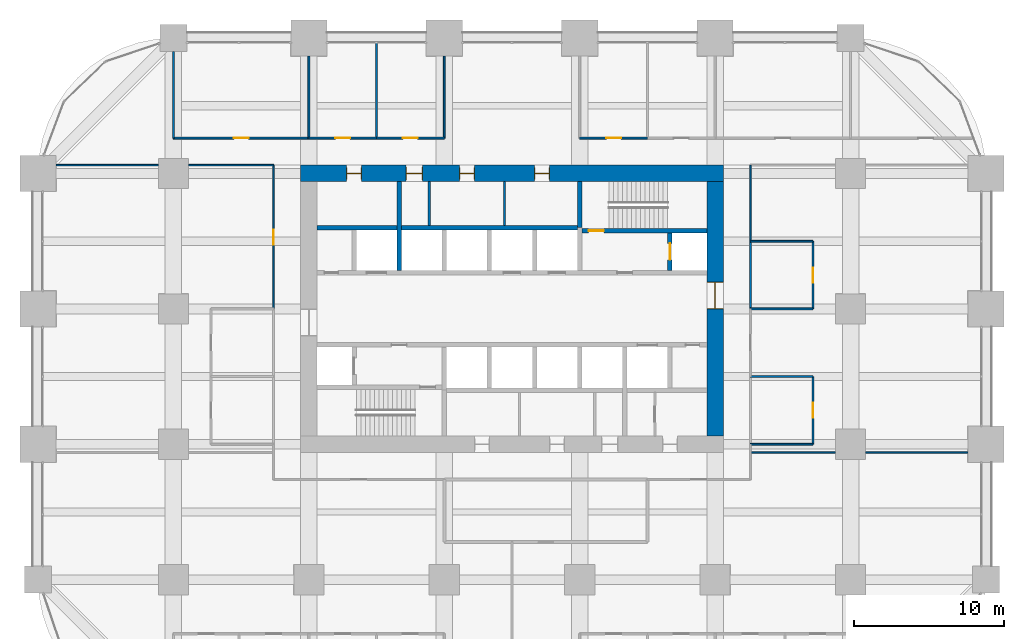
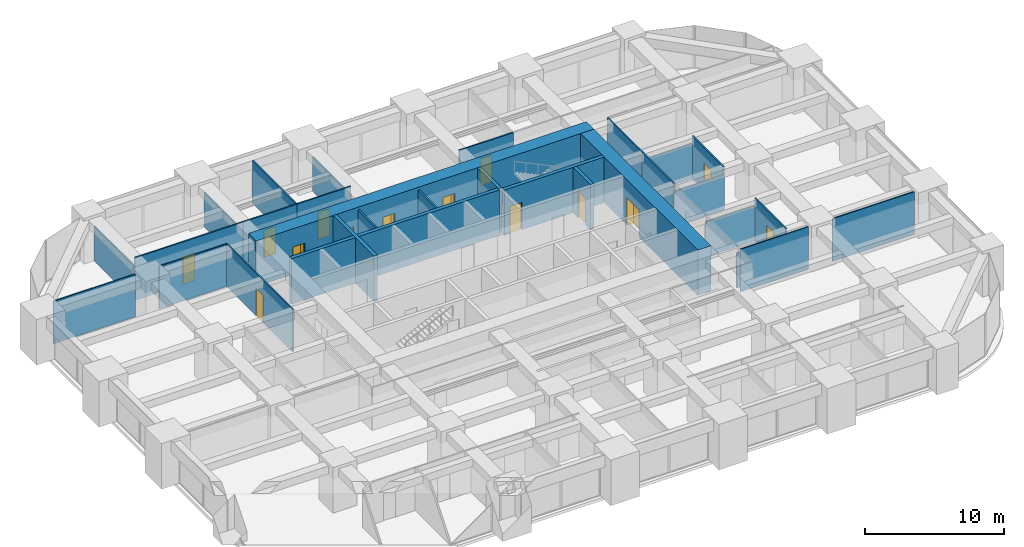
# One storey, part 38 of 41: 30 walls, 14 doors, 14 openings.
"""IFC4 building model written with IfcOpenShell, lengths in metres."""

import ifcopenshell
import ifcopenshell.guid

model = None  # the IFC model being written
_history = None  # IfcOwnerHistory: only IFC2X3 demands one
_inside = {}  # id of a spatial element -> (the spatial element, [elements in it])
_under = {}  # id of a project, library or spatial element -> (it, [spatial elements below it])
_declared = {}  # id of a project -> (the project, [libraries it declares])
_typed = {}  # id of a type object -> (the type object, [elements of that type])
_made_of = {}  # id of a material, layer set ... -> (it, [elements and type objects made of it])


def new_model(schema):
    """Start an empty IFC model of exactly this schema.

    Asked for "IFC4X3", IfcOpenShell would pick the latest addendum, in which some entities
    have other attributes; the version numbers below select the first issue.
    IFC2X3 requires an IfcOwnerHistory on every rooted entity: one is made here for all.
    """
    global model, _history
    if schema == "IFC4X3":
        model = ifcopenshell.file(schema_version=(4, 3, 0, 0))
    else:
        model = ifcopenshell.file(schema=schema)
    _inside.clear()
    _under.clear()
    _declared.clear()
    _typed.clear()
    _made_of.clear()
    _history = None
    if model.schema == "IFC2X3":
        org = make("IfcOrganization", Name="unknown")
        user = make(
            "IfcPersonAndOrganization",
            ThePerson=make("IfcPerson", FamilyName="unknown"),
            TheOrganization=org,
        )
        app = make(
            "IfcApplication",
            ApplicationDeveloper=org,
            Version="unknown",
            ApplicationFullName="unknown",
            ApplicationIdentifier="unknown",
        )
        _history = make(
            "IfcOwnerHistory",
            OwningUser=user,
            OwningApplication=app,
            ChangeAction="ADDED",
            CreationDate=0,
        )
    return model


def make(cls, **values):
    """One entity of the class cls with the attributes given. An attribute that is None is left unset."""
    return model.create_entity(
        cls, **{name: value for name, value in values.items() if value is not None}
    )


def rooted(cls, **values):
    """An entity with a GlobalId (a new one), such as an element, a storey or a relation."""
    return make(cls, GlobalId=ifcopenshell.guid.new(), OwnerHistory=_history, **values)


def si_unit(unit_type, name, prefix=None):
    """IfcSIUnit, for example si_unit("LENGTHUNIT", "METRE", prefix="MILLI")."""
    return make("IfcSIUnit", UnitType=unit_type, Prefix=prefix, Name=name)


def assignment(units):
    """IfcUnitAssignment: the units of a project."""
    return None if units is None else make("IfcUnitAssignment", Units=units)


def point(xyz):
    """IfcCartesianPoint."""
    return None if xyz is None else make("IfcCartesianPoint", Coordinates=xyz)


def direction(xyz):
    """IfcDirection."""
    return None if xyz is None else make("IfcDirection", DirectionRatios=xyz)


def frame(location, z_axis=None, x_axis=None):
    """IfcAxis2Placement3D, a coordinate frame: its origin and axes. An axis left out is left unset."""
    return make(
        "IfcAxis2Placement3D",
        Location=point(location),
        Axis=direction(z_axis),
        RefDirection=direction(x_axis),
    )


def frame_2d(location, x_axis=None):
    """IfcAxis2Placement2D, a coordinate frame in the plane: its origin and x axis."""
    return make(
        "IfcAxis2Placement2D", Location=point(location), RefDirection=direction(x_axis)
    )


def origin():
    """The frame at (0, 0, 0) with its axes left unset."""
    return frame((0.0, 0.0, 0.0))


def place(relative_to, where):
    """IfcLocalPlacement: puts the frame where relative to a parent placement (None: the world)."""
    return make(
        "IfcLocalPlacement", PlacementRelTo=relative_to, RelativePlacement=where
    )


def context(
    kind, dimensions, precision=None, world=None, true_north=None, identifier=None
):
    """IfcGeometricRepresentationContext, for example the 3D "Model" context."""
    return make(
        "IfcGeometricRepresentationContext",
        ContextIdentifier=identifier,
        ContextType=kind,
        CoordinateSpaceDimension=dimensions,
        Precision=precision,
        WorldCoordinateSystem=world,
        TrueNorth=true_north,
    )


def subcontext(parent, identifier, kind, view, scale=None):
    """IfcGeometricRepresentationSubContext, for example "Body" below "Model"."""
    return make(
        "IfcGeometricRepresentationSubContext",
        ContextIdentifier=identifier,
        ContextType=kind,
        ParentContext=parent,
        TargetScale=scale,
        TargetView=view,
    )


def project(units=None, contexts=None):
    """IfcProject with its units and contexts."""
    return rooted(
        "IfcProject",
        Name="project",
        RepresentationContexts=contexts,
        UnitsInContext=assignment(units),
    )


def spatial(cls, under=None, at=None, **own):
    """A site, building, storey or space (cls), placed at a placement, below another one or the project."""
    s = rooted(cls, ObjectPlacement=at, **own)
    if under is not None:
        _under.setdefault(under.id(), (under, []))[1].append(s)
    return s


def profile(cls, at=None, kind="AREA", **sizes):
    """A parametric profile (cls). Its sizes go by their IFC names, for example OverallWidth=200.0."""
    return make(cls, ProfileType=kind, Position=at, **sizes)


def rectangle(**sizes):
    """IfcRectangleProfileDef."""
    return profile("IfcRectangleProfileDef", **sizes)


def extrude(swept, where, along, depth):
    """IfcExtrudedAreaSolid: the profile swept, set in the frame where, extruded along a direction by depth."""
    return make(
        "IfcExtrudedAreaSolid",
        SweptArea=swept,
        Position=where,
        ExtrudedDirection=direction(along),
        Depth=depth,
    )


def shape(context_of_items, identifier, shape_type, items):
    """IfcShapeRepresentation: the items that make up one representation, for example the "Body"."""
    return make(
        "IfcShapeRepresentation",
        ContextOfItems=context_of_items,
        RepresentationIdentifier=identifier,
        RepresentationType=shape_type,
        Items=items,
    )


def material(Name=None, Category=None):
    """IfcMaterial."""
    return make("IfcMaterial", Name=Name, Category=Category)


def layer(
    of_material, thickness, ventilated=None, Name=None, Category=None, Priority=None
):
    """IfcMaterialLayer: one layer of a wall or slab, of a material (None: an air gap)."""
    return make(
        "IfcMaterialLayer",
        Material=of_material,
        LayerThickness=thickness,
        IsVentilated=ventilated,
        Name=Name,
        Category=Category,
        Priority=Priority,
    )


def layer_set(layers, Name=None):
    """IfcMaterialLayerSet."""
    return make("IfcMaterialLayerSet", MaterialLayers=layers, LayerSetName=Name)


def made_of(thing, what):
    """Note that an element or type object is made of a material, layer set ...; save() writes the relation."""
    if what is not None:
        _made_of.setdefault(what.id(), (what, []))[1].append(thing)
    return thing


def type_object(cls, material=None, **own):
    """A type object (cls), such as IfcWallType, which elements share."""
    return made_of(rooted(cls, **own), material)


def element(
    cls,
    number,
    at=None,
    inside=None,
    cuts=None,
    type_object=None,
    material=None,
    context=None,
    identifier="Body",
    shape_type=None,
    held_by="IfcProductDefinitionShape",
    body=None,
    shapes=None,
    **own,
):
    """One element of the class cls, such as IfcWall. Its Tag is "e" and its number.

    at: its placement. inside: the storey or other place that contains it. cuts: it is an
    opening in that element (IfcRelVoidsElement). A single representation is given by context,
    identifier, shape_type and body (its items); several are given by shapes. held_by: the class
    of the entity that holds the representations. save() writes the other relations.
    """
    e = rooted(cls, Tag="e%d" % number, ObjectPlacement=at, **own)
    if body is not None:
        shapes = [shape(context, identifier, shape_type, body)]
    if shapes is not None:
        e.Representation = make(held_by, Representations=shapes)
    if inside is not None:
        _inside.setdefault(inside.id(), (inside, []))[1].append(e)
    if cuts is not None:
        rooted(
            "IfcRelVoidsElement", RelatingBuildingElement=cuts, RelatedOpeningElement=e
        )
    if type_object is not None:
        _typed.setdefault(type_object.id(), (type_object, []))[1].append(e)
    return made_of(e, material)


def fill(opening, filler):
    """IfcRelFillsElement: the door or window that sits in an opening."""
    return rooted(
        "IfcRelFillsElement",
        RelatingOpeningElement=opening,
        RelatedBuildingElement=filler,
    )


def aggregate(whole, parts):
    """IfcRelAggregates: a whole, such as a stair, and the parts it consists of."""
    return rooted("IfcRelAggregates", RelatingObject=whole, RelatedObjects=parts)


def save(model, path):
    """Write the relations noted so far, then the file.

    IfcRelAggregates (storeys below a building ...), IfcRelContainedInSpatialStructure (elements
    in a storey), IfcRelDefinesByType, IfcRelAssociatesMaterial and IfcRelDeclares: one each for
    every whole, place, type object, material and project.
    """
    for whole, parts in _under.values():
        aggregate(whole, parts)
    for where, things in _inside.values():
        rooted(
            "IfcRelContainedInSpatialStructure",
            RelatedElements=things,
            RelatingStructure=where,
        )
    for kind, things in _typed.values():
        rooted("IfcRelDefinesByType", RelatedObjects=things, RelatingType=kind)
    for what, things in _made_of.values():
        rooted("IfcRelAssociatesMaterial", RelatedObjects=things, RelatingMaterial=what)
    for by, libraries in _declared.values():
        rooted("IfcRelDeclares", RelatingContext=by, RelatedDefinitions=libraries)
    model.write(path)


model = new_model("IFC4")

# Units and contexts
model_context = context("Model", 3, precision=1e-05, world=origin(), true_north=direction((0.0, 1.0)))
body_context = subcontext(model_context, "Body", "Model", "MODEL_VIEW")
ifc_project = project(units=[si_unit("LENGTHUNIT", "METRE"), si_unit("AREAUNIT", "SQUARE_METRE"), si_unit("VOLUMEUNIT", "CUBIC_METRE"), si_unit("PLANEANGLEUNIT", "RADIAN"), si_unit("MASSUNIT", "GRAM", prefix="KILO")], contexts=[model_context])

# Site, building, storey
site_placement = place(None, origin())
site = spatial("IfcSite", under=ifc_project, at=site_placement, CompositionType="ELEMENT")
building_placement = place(site_placement, origin())
building = spatial("IfcBuilding", under=site, at=building_placement, Name="Zorevar Civic Tower", CompositionType="ELEMENT")
storey_placement = place(building_placement, frame((0.0, 0.0, 105.0)))
storey = spatial("IfcBuildingStorey", under=building, at=storey_placement, Name="L25", CompositionType="ELEMENT", Elevation=105.0)

# Wall, openings, doors
ifc_material_1 = material(Name="Concrete C50/60", Category="concrete")
ifc_layer_1 = layer(ifc_material_1, 1.10009765625)
ifc_layer_set_1 = layer_set([ifc_layer_1], Name="Core wall 1100")
wall_type_1 = type_object("IfcWallType", Name="Core wall 1100", PredefinedType="SHEAR", material=ifc_layer_set_1)
wall_1_placement = place(storey_placement, frame((45.550048828125, 36.0, 0.0), z_axis=(0.0, 0.0, 1.0), x_axis=(-1.0, 0.0, 0.0)))
wall_1 = element("IfcWall", 1, at=wall_1_placement, inside=storey, type_object=wall_type_1, Name="Core wall N L25", PredefinedType="SHEAR", context=body_context, shape_type="SweptSolid", body=[
    extrude(rectangle(XDim=28.10009765625, YDim=1.10009765625, at=frame_2d((14.050048828125, 0.0))), origin(), (0.0, 0.0, 1.0), 4.0),
])
opening_1_placement = place(wall_1_placement, frame((11.550048828125, 0.0, 0.0)))
opening_1 = element("IfcOpeningElement", 2, at=opening_1_placement, cuts=wall_1, Name="Opening L25.07", PredefinedType="OPENING", context=body_context, shape_type="SweptSolid", body=[
    extrude(rectangle(XDim=1.0, YDim=2.39990234375, at=frame_2d((0.5, 1.199951171875))), frame((0.0, 0.56005859375, 0.0), z_axis=(0.0, -1.0, 0.0), x_axis=(1.0, 0.0, 0.0)), (0.0, 0.0, 1.0), 1.1201171875),
])
opening_2_placement = place(wall_1_placement, frame((16.550048828125, 0.0, 0.0)))
opening_2 = element("IfcOpeningElement", 3, at=opening_2_placement, cuts=wall_1, Name="Opening L25.08", PredefinedType="OPENING", context=body_context, shape_type="SweptSolid", body=[
    extrude(rectangle(XDim=1.0, YDim=2.39990234375, at=frame_2d((0.5, 1.199951171875))), frame((0.0, 0.56005859375, 0.0), z_axis=(0.0, -1.0, 0.0), x_axis=(1.0, 0.0, 0.0)), (0.0, 0.0, 1.0), 1.1201171875),
])
opening_3_placement = place(wall_1_placement, frame((20.0, 0.0, 0.0)))
opening_3 = element("IfcOpeningElement", 4, at=opening_3_placement, cuts=wall_1, Name="Opening L25.09", PredefinedType="OPENING", context=body_context, shape_type="SweptSolid", body=[
    extrude(rectangle(XDim=1.10009765625, YDim=2.39990234375, at=frame_2d((0.550048828125, 1.199951171875))), frame((0.0, 0.56005859375, 0.0), z_axis=(0.0, -1.0, 0.0), x_axis=(1.0, 0.0, 0.0)), (0.0, 0.0, 1.0), 1.1201171875),
])
opening_4_placement = place(wall_1_placement, frame((24.050048828125, 0.0, 0.0)))
opening_4 = element("IfcOpeningElement", 5, at=opening_4_placement, cuts=wall_1, Name="Opening L25.10", PredefinedType="OPENING", context=body_context, shape_type="SweptSolid", body=[
    extrude(rectangle(XDim=1.0, YDim=2.39990234375, at=frame_2d((0.5, 1.199951171875))), frame((0.0, 0.56005859375, 0.0), z_axis=(0.0, -1.0, 0.0), x_axis=(1.0, 0.0, 0.0)), (0.0, 0.0, 1.0), 1.1201171875),
])
ifc_material_2 = material(Name="Timber door set", Category="wood")
door_type_1 = type_object("IfcDoorType", Name="Door D1 1000x2400", OperationType="SINGLE_SWING_LEFT", PredefinedType="DOOR", material=ifc_material_2)
door_1_placement = place(opening_1_placement, origin())
door_1 = element("IfcDoor", 6, at=door_1_placement, inside=storey, type_object=door_type_1, Name="Door L25 06", OperationType="SINGLE_SWING_LEFT", OverallHeight=2.39990234375, OverallWidth=1.0, PredefinedType="DOOR", context=body_context, shape_type="SweptSolid", body=[
    extrude(rectangle(XDim=1.0, YDim=2.39990234375, at=frame_2d((0.5, 1.199951171875))), frame((0.0, 0.02490234375, 0.0), z_axis=(0.0, -1.0, 0.0), x_axis=(1.0, 0.0, 0.0)), (0.0, 0.0, 1.0), 0.050048828125),
    extrude(rectangle(XDim=0.04, YDim=2.39990234375, at=frame_2d((0.02001953125, 1.199951171875))), frame((0.0, 0.39990234375, 0.0), z_axis=(0.0, -1.0, 0.0), x_axis=(1.0, 0.0, 0.0)), (0.0, 0.0, 1.0), 0.800048828125),
    extrude(rectangle(XDim=0.04, YDim=2.39990234375, at=frame_2d((0.97998046875, 1.199951171875))), frame((0.0, 0.39990234375, 0.0), z_axis=(0.0, -1.0, 0.0), x_axis=(1.0, 0.0, 0.0)), (0.0, 0.0, 1.0), 0.800048828125),
    extrude(rectangle(XDim=1.0, YDim=0.04, at=frame_2d((0.5, 2.3798828125))), frame((0.0, 0.39990234375, 0.0), z_axis=(0.0, -1.0, 0.0), x_axis=(1.0, 0.0, 0.0)), (0.0, 0.0, 1.0), 0.800048828125),
])
fill(opening_1, door_1)
door_2_placement = place(opening_2_placement, origin())
door_2 = element("IfcDoor", 7, at=door_2_placement, inside=storey, type_object=door_type_1, Name="Door L25 07", OperationType="SINGLE_SWING_RIGHT", OverallHeight=2.39990234375, OverallWidth=1.0, PredefinedType="DOOR", context=body_context, shape_type="SweptSolid", body=[
    extrude(rectangle(XDim=1.0, YDim=2.39990234375, at=frame_2d((0.5, 1.199951171875))), frame((0.0, 0.02490234375, 0.0), z_axis=(0.0, -1.0, 0.0), x_axis=(1.0, 0.0, 0.0)), (0.0, 0.0, 1.0), 0.050048828125),
    extrude(rectangle(XDim=0.04, YDim=2.39990234375, at=frame_2d((0.02001953125, 1.199951171875))), frame((0.0, 0.39990234375, 0.0), z_axis=(0.0, -1.0, 0.0), x_axis=(1.0, 0.0, 0.0)), (0.0, 0.0, 1.0), 0.800048828125),
    extrude(rectangle(XDim=0.04, YDim=2.39990234375, at=frame_2d((0.97998046875, 1.199951171875))), frame((0.0, 0.39990234375, 0.0), z_axis=(0.0, -1.0, 0.0), x_axis=(1.0, 0.0, 0.0)), (0.0, 0.0, 1.0), 0.800048828125),
    extrude(rectangle(XDim=1.0, YDim=0.04, at=frame_2d((0.5, 2.3798828125))), frame((0.0, 0.39990234375, 0.0), z_axis=(0.0, -1.0, 0.0), x_axis=(1.0, 0.0, 0.0)), (0.0, 0.0, 1.0), 0.800048828125),
])
fill(opening_2, door_2)
door_3_placement = place(opening_4_placement, origin())
door_3 = element("IfcDoor", 8, at=door_3_placement, inside=storey, type_object=door_type_1, Name="Door L25 09", OperationType="SINGLE_SWING_RIGHT", OverallHeight=2.39990234375, OverallWidth=1.0, PredefinedType="DOOR", context=body_context, shape_type="SweptSolid", body=[
    extrude(rectangle(XDim=1.0, YDim=2.39990234375, at=frame_2d((0.5, 1.199951171875))), frame((0.0, 0.02490234375, 0.0), z_axis=(0.0, -1.0, 0.0), x_axis=(1.0, 0.0, 0.0)), (0.0, 0.0, 1.0), 0.050048828125),
    extrude(rectangle(XDim=0.04, YDim=2.39990234375, at=frame_2d((0.02001953125, 1.199951171875))), frame((0.0, 0.39990234375, 0.0), z_axis=(0.0, -1.0, 0.0), x_axis=(1.0, 0.0, 0.0)), (0.0, 0.0, 1.0), 0.800048828125),
    extrude(rectangle(XDim=0.04, YDim=2.39990234375, at=frame_2d((0.97998046875, 1.199951171875))), frame((0.0, 0.39990234375, 0.0), z_axis=(0.0, -1.0, 0.0), x_axis=(1.0, 0.0, 0.0)), (0.0, 0.0, 1.0), 0.800048828125),
    extrude(rectangle(XDim=1.0, YDim=0.04, at=frame_2d((0.5, 2.3798828125))), frame((0.0, 0.39990234375, 0.0), z_axis=(0.0, -1.0, 0.0), x_axis=(1.0, 0.0, 0.0)), (0.0, 0.0, 1.0), 0.800048828125),
])
fill(opening_4, door_3)
ifc_material_3 = material(Name="Timber door set", Category="wood")
door_type_2 = type_object("IfcDoorType", Name="Door D5 1100x2400", OperationType="SINGLE_SWING_LEFT", PredefinedType="DOOR", material=ifc_material_3)
door_4_placement = place(opening_3_placement, origin())
door_4 = element("IfcDoor", 9, at=door_4_placement, inside=storey, type_object=door_type_2, Name="Door L25 08", OperationType="SINGLE_SWING_RIGHT", OverallHeight=2.39990234375, OverallWidth=1.10009765625, PredefinedType="DOOR", context=body_context, shape_type="SweptSolid", body=[
    extrude(rectangle(XDim=1.10009765625, YDim=2.39990234375, at=frame_2d((0.550048828125, 1.199951171875))), frame((0.0, 0.02490234375, 0.0), z_axis=(0.0, -1.0, 0.0), x_axis=(1.0, 0.0, 0.0)), (0.0, 0.0, 1.0), 0.050048828125),
    extrude(rectangle(XDim=0.04, YDim=2.39990234375, at=frame_2d((0.02001953125, 1.199951171875))), frame((0.0, 0.43994140625, 0.0), z_axis=(0.0, -1.0, 0.0), x_axis=(1.0, 0.0, 0.0)), (0.0, 0.0, 1.0), 0.880126953125),
    extrude(rectangle(XDim=0.04, YDim=2.39990234375, at=frame_2d((1.080078125, 1.199951171875))), frame((0.0, 0.43994140625, 0.0), z_axis=(0.0, -1.0, 0.0), x_axis=(1.0, 0.0, 0.0)), (0.0, 0.0, 1.0), 0.880126953125),
    extrude(rectangle(XDim=1.10009765625, YDim=0.04, at=frame_2d((0.550048828125, 2.3798828125))), frame((0.0, 0.43994140625, 0.0), z_axis=(0.0, -1.0, 0.0), x_axis=(1.0, 0.0, 0.0)), (0.0, 0.0, 1.0), 0.880126953125),
])
fill(opening_3, door_4)

# Wall, opening, door
wall_2_placement = place(storey_placement, frame((45.0, 18.550048828125, 0.0), z_axis=(0.0, 0.0, 1.0), x_axis=(0.0, 1.0, 0.0)))
wall_2 = element("IfcWall", 10, at=wall_2_placement, inside=storey, type_object=wall_type_1, Name="Core wall E L25", PredefinedType="SHEAR", context=body_context, shape_type="SweptSolid", body=[
    extrude(rectangle(XDim=16.89990234375, YDim=1.10009765625, at=frame_2d((8.449951171875, 0.0))), origin(), (0.0, 0.0, 1.0), 4.0),
])
opening_5_placement = place(wall_2_placement, frame((8.449951171875, 0.0, 0.0)))
opening_5 = element("IfcOpeningElement", 11, at=opening_5_placement, cuts=wall_2, Name="Opening L25.02", PredefinedType="OPENING", context=body_context, shape_type="SweptSolid", body=[
    extrude(rectangle(XDim=1.800048828125, YDim=2.39990234375, at=frame_2d((0.89990234375, 1.199951171875))), frame((0.0, 0.56005859375, 0.0), z_axis=(0.0, -1.0, 0.0), x_axis=(1.0, 0.0, 0.0)), (0.0, 0.0, 1.0), 1.1201171875),
])
ifc_material_4 = material(Name="Steel door set", Category="steel")
door_type_3 = type_object("IfcDoorType", Name="Fire door FD2 1800x2400", OperationType="DOUBLE_DOOR_DOUBLE_SWING", PredefinedType="DOOR", material=ifc_material_4)
door_5_placement = place(opening_5_placement, origin())
door_5 = element("IfcDoor", 12, at=door_5_placement, inside=storey, type_object=door_type_3, Name="Door L25 01", OperationType="DOUBLE_DOOR_DOUBLE_SWING", OverallHeight=2.39990234375, OverallWidth=1.800048828125, PredefinedType="DOOR", context=body_context, shape_type="SweptSolid", body=[
    extrude(rectangle(XDim=1.800048828125, YDim=2.39990234375, at=frame_2d((0.89990234375, 1.199951171875))), frame((0.0, 0.030029296875, 0.0), z_axis=(0.0, -1.0, 0.0), x_axis=(1.0, 0.0, 0.0)), (0.0, 0.0, 1.0), 0.06005859375),
    extrude(rectangle(XDim=0.04, YDim=2.39990234375, at=frame_2d((0.02001953125, 1.199951171875))), frame((0.0, 0.5498046875, 0.0), z_axis=(0.0, -1.0, 0.0), x_axis=(1.0, 0.0, 0.0)), (0.0, 0.0, 1.0), 1.099609375),
    extrude(rectangle(XDim=0.04, YDim=2.39990234375, at=frame_2d((1.780029296875, 1.199951171875))), frame((0.0, 0.5498046875, 0.0), z_axis=(0.0, -1.0, 0.0), x_axis=(1.0, 0.0, 0.0)), (0.0, 0.0, 1.0), 1.099609375),
    extrude(rectangle(XDim=1.800048828125, YDim=0.04, at=frame_2d((0.89990234375, 2.3798828125))), frame((0.0, 0.5498046875, 0.0), z_axis=(0.0, -1.0, 0.0), x_axis=(1.0, 0.0, 0.0)), (0.0, 0.0, 1.0), 1.099609375),
])
fill(opening_5, door_5)

# Walls
ifc_material_5 = material(Name="Laminated glass in black aluminium frame", Category="aluminium")
ifc_layer_2 = layer(ifc_material_5, 0.10009765625)
ifc_layer_set_2 = layer_set([ifc_layer_2], Name="Glazed partition 100")
wall_type_2 = type_object("IfcWallType", Name="Glazed partition 100", PredefinedType="PARTITIONING", material=ifc_layer_set_2)
wall_3_placement = place(storey_placement, frame((47.35009765625, 17.449951171875, 0.0), z_axis=(0.0, 0.0, 1.0), x_axis=(1.0, 0.0, 0.0)))
element("IfcWall", 13, at=wall_3_placement, inside=storey, type_object=wall_type_2, Name="Glazed partition 100 L25", PredefinedType="PARTITIONING", context=body_context, shape_type="SweptSolid", body=[
    extrude(rectangle(XDim=5.64990234375, YDim=0.10009765625, at=frame_2d((2.824951171875, 0.0))), origin(), (0.0, 0.0, 1.0), 3.75),
])
for number, where, z_axis, x_axis, name in (
    (14, (55.0, 17.449951171875, 0.0), (0.0, 0.0, 1.0), (1.0, 0.0, 0.0), "Glazed partition 100 L25"),
    (15, (1.199951171875, 36.550048828125, 0.0), (0.0, 0.0, 1.0), (1.0, 0.0, 0.0), "Glazed partition 100 L25"),
):
    element("IfcWall", number, at=place(storey_placement, frame(where, z_axis=z_axis, x_axis=x_axis)), inside=storey, type_object=wall_type_2, Name=name, PredefinedType="PARTITIONING", context=body_context, shape_type="SweptSolid", body=[
        extrude(rectangle(XDim=6.800048828125, YDim=0.10009765625, at=frame_2d((3.39990234375, 0.0))), origin(), (0.0, 0.0, 1.0), 3.75),
    ])
wall_4_placement = place(storey_placement, frame((10.0, 36.550048828125, 0.0), z_axis=(0.0, 0.0, 1.0), x_axis=(1.0, 0.0, 0.0)))
element("IfcWall", 16, at=wall_4_placement, inside=storey, type_object=wall_type_2, Name="Glazed partition 100 L25", PredefinedType="PARTITIONING", context=body_context, shape_type="SweptSolid", body=[
    extrude(rectangle(XDim=5.64990234375, YDim=0.10009765625, at=frame_2d((2.824951171875, 0.0))), origin(), (0.0, 0.0, 1.0), 3.75),
])

# Wall, opening, door
wall_5_placement = place(storey_placement, frame((15.64990234375, 27.0, 0.0), z_axis=(0.0, 0.0, 1.0), x_axis=(0.0, 1.0, 0.0)))
wall_5 = element("IfcWall", 17, at=wall_5_placement, inside=storey, type_object=wall_type_2, Name="Glazed partition 100 L25", PredefinedType="PARTITIONING", context=body_context, shape_type="SweptSolid", body=[
    extrude(rectangle(XDim=9.550048828125, YDim=0.10009765625, at=frame_2d((4.77490234375, 0.0))), origin(), (0.0, 0.0, 1.0), 3.75),
])
opening_6_placement = place(wall_5_placement, frame((4.27490234375, 0.0, 0.0)))
opening_6 = element("IfcOpeningElement", 18, at=opening_6_placement, cuts=wall_5, Name="Opening L25.37", PredefinedType="OPENING", context=body_context, shape_type="SweptSolid", body=[
    extrude(rectangle(XDim=1.0, YDim=2.39990234375, at=frame_2d((0.5, 1.199951171875))), frame((0.0, 0.06005859375, 0.0), z_axis=(0.0, -1.0, 0.0), x_axis=(1.0, 0.0, 0.0)), (0.0, 0.0, 1.0), 0.1201171875),
])
ifc_material_6 = material(Name="Timber door set", Category="wood")
door_type_4 = type_object("IfcDoorType", Name="Glazed door GD1 1000x2400", OperationType="SINGLE_SWING_LEFT", PredefinedType="DOOR", material=ifc_material_6)
door_6_placement = place(opening_6_placement, origin())
door_6 = element("IfcDoor", 19, at=door_6_placement, inside=storey, type_object=door_type_4, Name="Door L25 D1", OperationType="SINGLE_SWING_RIGHT", OverallHeight=2.39990234375, OverallWidth=1.0, PredefinedType="DOOR", context=body_context, shape_type="SweptSolid", body=[
    extrude(rectangle(XDim=1.0, YDim=2.39990234375, at=frame_2d((0.5, 1.199951171875))), frame((0.0, 0.02001953125, 0.0), z_axis=(0.0, -1.0, 0.0), x_axis=(1.0, 0.0, 0.0)), (0.0, 0.0, 1.0), 0.0400390625),
])
fill(opening_6, door_6)

# Wall
wall_6_placement = place(storey_placement, frame((47.35009765625, 31.5, 0.0), z_axis=(0.0, 0.0, 1.0), x_axis=(0.0, 1.0, 0.0)))
element("IfcWall", 20, at=wall_6_placement, inside=storey, type_object=wall_type_2, Name="Glazed partition 100 L25", PredefinedType="PARTITIONING", context=body_context, shape_type="SweptSolid", body=[
    extrude(rectangle(XDim=5.050048828125, YDim=0.10009765625, at=frame_2d((2.52490234375, 0.0))), origin(), (0.0, 0.0, 1.0), 3.75),
])

# Wall, opening, door
ifc_material_7 = material(Name="Concrete C40/50", Category="concrete")
ifc_layer_3 = layer(ifc_material_7, 0.300048828125)
ifc_layer_set_3 = layer_set([ifc_layer_3], Name="Inner core wall 300")
wall_type_3 = type_object("IfcWallType", Name="Inner core wall 300", PredefinedType="SHEAR", material=ifc_layer_set_3)
wall_7_placement = place(storey_placement, frame((36.14990234375, 32.199951171875, 0.0), z_axis=(0.0, 0.0, 1.0), x_axis=(1.0, 0.0, 0.0)))
wall_7 = element("IfcWall", 21, at=wall_7_placement, inside=storey, type_object=wall_type_3, Name="Inner core wall N00 L25", PredefinedType="SHEAR", context=body_context, shape_type="SweptSolid", body=[
    extrude(rectangle(XDim=8.300048828125, YDim=0.300048828125, at=frame_2d((4.14990234375, 0.0))), origin(), (0.0, 0.0, 1.0), 4.0),
])
opening_7_placement = place(wall_7_placement, frame((0.449951171875, 0.0, 0.0)))
opening_7 = element("IfcOpeningElement", 22, at=opening_7_placement, cuts=wall_7, Name="Opening L25.12", PredefinedType="OPENING", context=body_context, shape_type="SweptSolid", body=[
    extrude(rectangle(XDim=1.0, YDim=2.39990234375, at=frame_2d((0.5, 1.199951171875))), frame((0.0, 0.159912109375, 0.0), z_axis=(0.0, -1.0, 0.0), x_axis=(1.0, 0.0, 0.0)), (0.0, 0.0, 1.0), 0.320068359375),
])
ifc_material_8 = material(Name="Steel door set", Category="steel")
door_type_5 = type_object("IfcDoorType", Name="Fire door FD1 1000x2400", OperationType="SINGLE_SWING_LEFT", PredefinedType="DOOR", material=ifc_material_8)
door_7_placement = place(opening_7_placement, origin())
door_7 = element("IfcDoor", 23, at=door_7_placement, inside=storey, type_object=door_type_5, Name="Door L25 11", OperationType="SINGLE_SWING_RIGHT", OverallHeight=2.39990234375, OverallWidth=1.0, PredefinedType="DOOR", context=body_context, shape_type="SweptSolid", body=[
    extrude(rectangle(XDim=1.0, YDim=2.39990234375, at=frame_2d((0.5, 1.199951171875))), frame((0.0, 0.030029296875, 0.0), z_axis=(0.0, -1.0, 0.0), x_axis=(1.0, 0.0, 0.0)), (0.0, 0.0, 1.0), 0.06005859375),
])
fill(opening_7, door_7)

# Wall
wall_8_placement = place(storey_placement, frame((36.0, 32.39990234375, 0.0), z_axis=(0.0, 0.0, 1.0), x_axis=(0.0, 1.0, 0.0)))
element("IfcWall", 24, at=wall_8_placement, inside=storey, type_object=wall_type_3, Name="Inner core wall N01 L25", PredefinedType="SHEAR", context=body_context, shape_type="SweptSolid", body=[
    extrude(rectangle(XDim=3.050048828125, YDim=0.300048828125, at=frame_2d((1.52490234375, 0.0))), origin(), (0.0, 0.0, 1.0), 4.0),
])

# Wall, opening, door
wall_9_placement = place(storey_placement, frame((42.0, 29.550048828125, 0.0), z_axis=(0.0, 0.0, 1.0), x_axis=(0.0, 1.0, 0.0)))
wall_9 = element("IfcWall", 25, at=wall_9_placement, inside=storey, type_object=wall_type_3, Name="Inner core wall N02 L25", PredefinedType="SHEAR", context=body_context, shape_type="SweptSolid", body=[
    extrude(rectangle(XDim=2.5, YDim=0.300048828125, at=frame_2d((1.25, 0.0))), origin(), (0.0, 0.0, 1.0), 4.0),
])
opening_8_placement = place(wall_9_placement, frame((0.699951171875, 0.0, 0.0)))
opening_8 = element("IfcOpeningElement", 26, at=opening_8_placement, cuts=wall_9, Name="Opening L25.FL2", PredefinedType="OPENING", context=body_context, shape_type="SweptSolid", body=[
    extrude(rectangle(XDim=1.10009765625, YDim=2.39990234375, at=frame_2d((0.550048828125, 1.199951171875))), frame((0.0, 0.159912109375, 0.0), z_axis=(0.0, -1.0, 0.0), x_axis=(1.0, 0.0, 0.0)), (0.0, 0.0, 1.0), 0.320068359375),
])
ifc_material_9 = material(Name="Steel door set", Category="steel")
door_type_6 = type_object("IfcDoorType", Name="Firefighting lift landing door LD3 1100x2400", OperationType="DOUBLE_DOOR_SLIDING", PredefinedType="DOOR", material=ifc_material_9)
door_8_placement = place(opening_8_placement, origin())
door_8 = element("IfcDoor", 27, at=door_8_placement, inside=storey, type_object=door_type_6, Name="Landing door FL2 L25", OperationType="DOUBLE_DOOR_SLIDING", OverallHeight=2.39990234375, OverallWidth=1.10009765625, PredefinedType="DOOR", context=body_context, shape_type="SweptSolid", body=[
    extrude(rectangle(XDim=1.10009765625, YDim=2.39990234375, at=frame_2d((0.550048828125, 1.199951171875))), frame((0.0, 0.030029296875, 0.0), z_axis=(0.0, -1.0, 0.0), x_axis=(1.0, 0.0, 0.0)), (0.0, 0.0, 1.0), 0.06005859375),
])
fill(opening_8, door_8)

# Walls
wall_10_placement = place(storey_placement, frame((18.550048828125, 32.39990234375, 0.0), z_axis=(0.0, 0.0, 1.0), x_axis=(1.0, 0.0, 0.0)))
element("IfcWall", 28, at=wall_10_placement, inside=storey, type_object=wall_type_3, Name="Inner core wall N04 L25", PredefinedType="SHEAR", context=body_context, shape_type="SweptSolid", body=[
    extrude(rectangle(XDim=17.300048828125, YDim=0.300048828125, at=frame_2d((8.64990234375, 0.0))), origin(), (0.0, 0.0, 1.0), 4.0),
])
wall_11_placement = place(storey_placement, frame((24.0, 29.550048828125, 0.0), z_axis=(0.0, 0.0, 1.0), x_axis=(0.0, 1.0, 0.0)))
element("IfcWall", 29, at=wall_11_placement, inside=storey, type_object=wall_type_3, Name="Inner core wall N08 L25", PredefinedType="SHEAR", context=body_context, shape_type="SweptSolid", body=[
    extrude(rectangle(XDim=5.89990234375, YDim=0.300048828125, at=frame_2d((2.949951171875, 0.0))), origin(), (0.0, 0.0, 1.0), 4.0),
])
ifc_material_10 = material(Name="Gypsum board on steel studs", Category="steel")
ifc_layer_4 = layer(ifc_material_10, 0.1201171875)
ifc_layer_set_4 = layer_set([ifc_layer_4], Name="Partition 120")
wall_type_4 = type_object("IfcWallType", Name="Partition 120", PredefinedType="PARTITIONING", material=ifc_layer_set_4)
wall_12_placement = place(storey_placement, frame((47.35009765625, 18.0, 0.0), z_axis=(0.0, 0.0, 1.0), x_axis=(1.0, 0.0, 0.0)))
element("IfcWall", 30, at=wall_12_placement, inside=storey, type_object=wall_type_4, Name="Partition 120 L25", PredefinedType="PARTITIONING", context=body_context, shape_type="SweptSolid", body=[
    extrude(rectangle(XDim=4.14990234375, YDim=0.1201171875, at=frame_2d((2.074951171875, 0.0))), origin(), (0.0, 0.0, 1.0), 3.050048828125),
])
wall_13_placement = place(storey_placement, frame((47.35009765625, 22.5, 0.0), z_axis=(0.0, 0.0, 1.0), x_axis=(1.0, 0.0, 0.0)))
element("IfcWall", 31, at=wall_13_placement, inside=storey, type_object=wall_type_4, Name="Partition 120 L25", PredefinedType="PARTITIONING", context=body_context, shape_type="SweptSolid", body=[
    extrude(rectangle(XDim=4.14990234375, YDim=0.1201171875, at=frame_2d((2.074951171875, 0.0))), origin(), (0.0, 0.0, 1.0), 3.10009765625),
])
wall_14_placement = place(storey_placement, frame((47.35009765625, 27.0, 0.0), z_axis=(0.0, 0.0, 1.0), x_axis=(1.0, 0.0, 0.0)))
element("IfcWall", 32, at=wall_14_placement, inside=storey, type_object=wall_type_4, Name="Partition 120 L25", PredefinedType="PARTITIONING", context=body_context, shape_type="SweptSolid", body=[
    extrude(rectangle(XDim=4.14990234375, YDim=0.1201171875, at=frame_2d((2.074951171875, 0.0))), origin(), (0.0, 0.0, 1.0), 3.050048828125),
])
wall_15_placement = place(storey_placement, frame((47.35009765625, 31.5, 0.0), z_axis=(0.0, 0.0, 1.0), x_axis=(1.0, 0.0, 0.0)))
element("IfcWall", 33, at=wall_15_placement, inside=storey, type_object=wall_type_4, Name="Partition 120 L25", PredefinedType="PARTITIONING", context=body_context, shape_type="SweptSolid", body=[
    extrude(rectangle(XDim=4.14990234375, YDim=0.1201171875, at=frame_2d((2.074951171875, 0.0))), origin(), (0.0, 0.0, 1.0), 3.10009765625),
])

# Wall, opening, door
wall_16_placement = place(storey_placement, frame((9.0, 38.35009765625, 0.0), z_axis=(0.0, 0.0, 1.0), x_axis=(1.0, 0.0, 0.0)))
wall_16 = element("IfcWall", 34, at=wall_16_placement, inside=storey, type_object=wall_type_4, Name="Partition 120 L25", PredefinedType="PARTITIONING", context=body_context, shape_type="SweptSolid", body=[
    extrude(rectangle(XDim=9.0, YDim=0.1201171875, at=frame_2d((4.5, 0.0))), origin(), (0.0, 0.0, 1.0), 3.75),
])
opening_9_placement = place(wall_16_placement, frame((4.0, 0.0, 0.0)))
opening_9 = element("IfcOpeningElement", 35, at=opening_9_placement, cuts=wall_16, Name="Opening L25.28", PredefinedType="OPENING", context=body_context, shape_type="SweptSolid", body=[
    extrude(rectangle(XDim=1.0, YDim=2.39990234375, at=frame_2d((0.5, 1.199951171875))), frame((0.0, 0.070068359375, 0.0), z_axis=(0.0, -1.0, 0.0), x_axis=(1.0, 0.0, 0.0)), (0.0, 0.0, 1.0), 0.14013671875),
])
door_9_placement = place(opening_9_placement, origin())
door_9 = element("IfcDoor", 36, at=door_9_placement, inside=storey, type_object=door_type_1, Name="Door L25 D1", OperationType="SINGLE_SWING_LEFT", OverallHeight=2.39990234375, OverallWidth=1.0, PredefinedType="DOOR", context=body_context, shape_type="SweptSolid", body=[
    extrude(rectangle(XDim=1.0, YDim=2.39990234375, at=frame_2d((0.5, 1.199951171875))), frame((0.0, 0.02490234375, 0.0), z_axis=(0.0, -1.0, 0.0), x_axis=(1.0, 0.0, 0.0)), (0.0, 0.0, 1.0), 0.050048828125),
])
fill(opening_9, door_9)

wall_17_placement = place(storey_placement, frame((18.0, 38.35009765625, 0.0), z_axis=(0.0, 0.0, 1.0), x_axis=(1.0, 0.0, 0.0)))
wall_17 = element("IfcWall", 37, at=wall_17_placement, inside=storey, type_object=wall_type_4, Name="Partition 120 L25", PredefinedType="PARTITIONING", context=body_context, shape_type="SweptSolid", body=[
    extrude(rectangle(XDim=4.5, YDim=0.1201171875, at=frame_2d((2.25, 0.0))), origin(), (0.0, 0.0, 1.0), 3.75),
])
opening_10_placement = place(wall_17_placement, frame((1.75, 0.0, 0.0)))
opening_10 = element("IfcOpeningElement", 38, at=opening_10_placement, cuts=wall_17, Name="Opening L25.29", PredefinedType="OPENING", context=body_context, shape_type="SweptSolid", body=[
    extrude(rectangle(XDim=1.0, YDim=2.39990234375, at=frame_2d((0.5, 1.199951171875))), frame((0.0, 0.070068359375, 0.0), z_axis=(0.0, -1.0, 0.0), x_axis=(1.0, 0.0, 0.0)), (0.0, 0.0, 1.0), 0.14013671875),
])
door_10_placement = place(opening_10_placement, origin())
door_10 = element("IfcDoor", 39, at=door_10_placement, inside=storey, type_object=door_type_1, Name="Door L25 D1", OperationType="SINGLE_SWING_LEFT", OverallHeight=2.39990234375, OverallWidth=1.0, PredefinedType="DOOR", context=body_context, shape_type="SweptSolid", body=[
    extrude(rectangle(XDim=1.0, YDim=2.39990234375, at=frame_2d((0.5, 1.199951171875))), frame((0.0, 0.02490234375, 0.0), z_axis=(0.0, -1.0, 0.0), x_axis=(1.0, 0.0, 0.0)), (0.0, 0.0, 1.0), 0.050048828125),
])
fill(opening_10, door_10)

wall_18_placement = place(storey_placement, frame((22.5, 38.35009765625, 0.0), z_axis=(0.0, 0.0, 1.0), x_axis=(1.0, 0.0, 0.0)))
wall_18 = element("IfcWall", 40, at=wall_18_placement, inside=storey, type_object=wall_type_4, Name="Partition 120 L25", PredefinedType="PARTITIONING", context=body_context, shape_type="SweptSolid", body=[
    extrude(rectangle(XDim=4.5, YDim=0.1201171875, at=frame_2d((2.25, 0.0))), origin(), (0.0, 0.0, 1.0), 3.75),
])
opening_11_placement = place(wall_18_placement, frame((1.75, 0.0, 0.0)))
opening_11 = element("IfcOpeningElement", 41, at=opening_11_placement, cuts=wall_18, Name="Opening L25.30", PredefinedType="OPENING", context=body_context, shape_type="SweptSolid", body=[
    extrude(rectangle(XDim=1.0, YDim=2.39990234375, at=frame_2d((0.5, 1.199951171875))), frame((0.0, 0.070068359375, 0.0), z_axis=(0.0, -1.0, 0.0), x_axis=(1.0, 0.0, 0.0)), (0.0, 0.0, 1.0), 0.14013671875),
])
door_11_placement = place(opening_11_placement, origin())
door_11 = element("IfcDoor", 42, at=door_11_placement, inside=storey, type_object=door_type_1, Name="Door L25 D1", OperationType="SINGLE_SWING_LEFT", OverallHeight=2.39990234375, OverallWidth=1.0, PredefinedType="DOOR", context=body_context, shape_type="SweptSolid", body=[
    extrude(rectangle(XDim=1.0, YDim=2.39990234375, at=frame_2d((0.5, 1.199951171875))), frame((0.0, 0.02490234375, 0.0), z_axis=(0.0, -1.0, 0.0), x_axis=(1.0, 0.0, 0.0)), (0.0, 0.0, 1.0), 0.050048828125),
])
fill(opening_11, door_11)

wall_19_placement = place(storey_placement, frame((36.0, 38.35009765625, 0.0), z_axis=(0.0, 0.0, 1.0), x_axis=(1.0, 0.0, 0.0)))
wall_19 = element("IfcWall", 43, at=wall_19_placement, inside=storey, type_object=wall_type_4, Name="Partition 120 L25", PredefinedType="PARTITIONING", context=body_context, shape_type="SweptSolid", body=[
    extrude(rectangle(XDim=4.5, YDim=0.1201171875, at=frame_2d((2.25, 0.0))), origin(), (0.0, 0.0, 1.0), 3.75),
])
opening_12_placement = place(wall_19_placement, frame((1.75, 0.0, 0.0)))
opening_12 = element("IfcOpeningElement", 44, at=opening_12_placement, cuts=wall_19, Name="Opening L25.31", PredefinedType="OPENING", context=body_context, shape_type="SweptSolid", body=[
    extrude(rectangle(XDim=1.0, YDim=2.39990234375, at=frame_2d((0.5, 1.199951171875))), frame((0.0, 0.070068359375, 0.0), z_axis=(0.0, -1.0, 0.0), x_axis=(1.0, 0.0, 0.0)), (0.0, 0.0, 1.0), 0.14013671875),
])
door_12_placement = place(opening_12_placement, origin())
door_12 = element("IfcDoor", 45, at=door_12_placement, inside=storey, type_object=door_type_1, Name="Door L25 D1", OperationType="SINGLE_SWING_RIGHT", OverallHeight=2.39990234375, OverallWidth=1.0, PredefinedType="DOOR", context=body_context, shape_type="SweptSolid", body=[
    extrude(rectangle(XDim=1.0, YDim=2.39990234375, at=frame_2d((0.5, 1.199951171875))), frame((0.0, 0.02490234375, 0.0), z_axis=(0.0, -1.0, 0.0), x_axis=(1.0, 0.0, 0.0)), (0.0, 0.0, 1.0), 0.050048828125),
])
fill(opening_12, door_12)

# Walls
wall_20_placement = place(storey_placement, frame((9.0, 38.35009765625, 0.0), z_axis=(0.0, 0.0, 1.0), x_axis=(0.0, 1.0, 0.0)))
element("IfcWall", 46, at=wall_20_placement, inside=storey, type_object=wall_type_4, Name="Partition 120 L25", PredefinedType="PARTITIONING", context=body_context, shape_type="SweptSolid", body=[
    extrude(rectangle(XDim=5.75, YDim=0.1201171875, at=frame_2d((2.875, 0.0))), origin(), (0.0, 0.0, 1.0), 3.050048828125),
])
wall_21_placement = place(storey_placement, frame((18.0, 38.35009765625, 0.0), z_axis=(0.0, 0.0, 1.0), x_axis=(0.0, 1.0, 0.0)))
element("IfcWall", 47, at=wall_21_placement, inside=storey, type_object=wall_type_4, Name="Partition 120 L25", PredefinedType="PARTITIONING", context=body_context, shape_type="SweptSolid", body=[
    extrude(rectangle(XDim=5.449951171875, YDim=0.1201171875, at=frame_2d((2.72509765625, 0.0))), origin(), (0.0, 0.0, 1.0), 3.050048828125),
])
wall_22_placement = place(storey_placement, frame((22.5, 38.35009765625, 0.0), z_axis=(0.0, 0.0, 1.0), x_axis=(0.0, 1.0, 0.0)))
element("IfcWall", 48, at=wall_22_placement, inside=storey, type_object=wall_type_4, Name="Partition 120 L25", PredefinedType="PARTITIONING", context=body_context, shape_type="SweptSolid", body=[
    extrude(rectangle(XDim=6.33984375, YDim=0.1201171875, at=frame_2d((3.169921875, 0.0))), origin(), (0.0, 0.0, 1.0), 3.75),
])
wall_23_placement = place(storey_placement, frame((27.0, 38.35009765625, 0.0), z_axis=(0.0, 0.0, 1.0), x_axis=(0.0, 1.0, 0.0)))
element("IfcWall", 49, at=wall_23_placement, inside=storey, type_object=wall_type_4, Name="Partition 120 L25", PredefinedType="PARTITIONING", context=body_context, shape_type="SweptSolid", body=[
    extrude(rectangle(XDim=5.449951171875, YDim=0.1201171875, at=frame_2d((2.72509765625, 0.0))), origin(), (0.0, 0.0, 1.0), 3.050048828125),
])
wall_24_placement = place(storey_placement, frame((47.35009765625, 27.0, 0.0), z_axis=(0.0, 0.0, 1.0), x_axis=(0.0, 1.0, 0.0)))
element("IfcWall", 50, at=wall_24_placement, inside=storey, type_object=wall_type_4, Name="Partition 120 L25", PredefinedType="PARTITIONING", context=body_context, shape_type="SweptSolid", body=[
    extrude(rectangle(XDim=4.5, YDim=0.1201171875, at=frame_2d((2.25, 0.0))), origin(), (0.0, 0.0, 1.0), 3.75),
])

# Wall, opening, door
wall_25_placement = place(storey_placement, frame((51.5, 27.0, 0.0), z_axis=(0.0, 0.0, 1.0), x_axis=(0.0, 1.0, 0.0)))
wall_25 = element("IfcWall", 51, at=wall_25_placement, inside=storey, type_object=wall_type_4, Name="Partition 120 L25", PredefinedType="PARTITIONING", context=body_context, shape_type="SweptSolid", body=[
    extrude(rectangle(XDim=4.5, YDim=0.1201171875, at=frame_2d((2.25, 0.0))), origin(), (0.0, 0.0, 1.0), 3.75),
])
opening_13_placement = place(wall_25_placement, frame((1.75, 0.0, 0.0)))
opening_13 = element("IfcOpeningElement", 52, at=opening_13_placement, cuts=wall_25, Name="Opening L25.39", PredefinedType="OPENING", context=body_context, shape_type="SweptSolid", body=[
    extrude(rectangle(XDim=1.0, YDim=2.39990234375, at=frame_2d((0.5, 1.199951171875))), frame((0.0, 0.070068359375, 0.0), z_axis=(0.0, -1.0, 0.0), x_axis=(1.0, 0.0, 0.0)), (0.0, 0.0, 1.0), 0.14013671875),
])
door_13_placement = place(opening_13_placement, origin())
door_13 = element("IfcDoor", 53, at=door_13_placement, inside=storey, type_object=door_type_1, Name="Door L25 D1", OperationType="SINGLE_SWING_RIGHT", OverallHeight=2.39990234375, OverallWidth=1.0, PredefinedType="DOOR", context=body_context, shape_type="SweptSolid", body=[
    extrude(rectangle(XDim=1.0, YDim=2.39990234375, at=frame_2d((0.5, 1.199951171875))), frame((0.0, 0.02490234375, 0.0), z_axis=(0.0, -1.0, 0.0), x_axis=(1.0, 0.0, 0.0)), (0.0, 0.0, 1.0), 0.050048828125),
])
fill(opening_13, door_13)

wall_26_placement = place(storey_placement, frame((51.5, 18.0, 0.0), z_axis=(0.0, 0.0, 1.0), x_axis=(0.0, 1.0, 0.0)))
wall_26 = element("IfcWall", 54, at=wall_26_placement, inside=storey, type_object=wall_type_4, Name="Partition 120 L25", PredefinedType="PARTITIONING", context=body_context, shape_type="SweptSolid", body=[
    extrude(rectangle(XDim=4.5, YDim=0.1201171875, at=frame_2d((2.25, 0.0))), origin(), (0.0, 0.0, 1.0), 3.75),
])
opening_14_placement = place(wall_26_placement, frame((1.75, 0.0, 0.0)))
opening_14 = element("IfcOpeningElement", 55, at=opening_14_placement, cuts=wall_26, Name="Opening L25.40", PredefinedType="OPENING", context=body_context, shape_type="SweptSolid", body=[
    extrude(rectangle(XDim=1.0, YDim=2.39990234375, at=frame_2d((0.5, 1.199951171875))), frame((0.0, 0.070068359375, 0.0), z_axis=(0.0, -1.0, 0.0), x_axis=(1.0, 0.0, 0.0)), (0.0, 0.0, 1.0), 0.14013671875),
])
door_14_placement = place(opening_14_placement, origin())
door_14 = element("IfcDoor", 56, at=door_14_placement, inside=storey, type_object=door_type_1, Name="Door L25 D1", OperationType="SINGLE_SWING_LEFT", OverallHeight=2.39990234375, OverallWidth=1.0, PredefinedType="DOOR", context=body_context, shape_type="SweptSolid", body=[
    extrude(rectangle(XDim=1.0, YDim=2.39990234375, at=frame_2d((0.5, 1.199951171875))), frame((0.0, 0.02490234375, 0.0), z_axis=(0.0, -1.0, 0.0), x_axis=(1.0, 0.0, 0.0)), (0.0, 0.0, 1.0), 0.050048828125),
])
fill(opening_14, door_14)

# Walls
ifc_material_11 = material(Name="Gypsum board on steel studs, moisture resistant", Category="steel")
ifc_layer_5 = layer(ifc_material_11, 0.14990234375)
ifc_layer_set_5 = layer_set([ifc_layer_5], Name="WC partition 150")
wall_type_5 = type_object("IfcWallType", Name="WC partition 150", PredefinedType="PARTITIONING", material=ifc_layer_set_5)
for number, where, z_axis, x_axis, name in (
    (57, (31.0, 32.550048828125, 0.0), (0.0, 0.0, 1.0), (0.0, 1.0, 0.0), "WC partition L25"),
    (58, (26.0, 32.550048828125, 0.0), (0.0, 0.0, 1.0), (0.0, 1.0, 0.0), "WC partition L25"),
):
    element("IfcWall", number, at=place(storey_placement, frame(where, z_axis=z_axis, x_axis=x_axis)), inside=storey, type_object=wall_type_5, Name=name, PredefinedType="PARTITIONING", context=body_context, shape_type="SweptSolid", body=[
        extrude(rectangle(XDim=2.89990234375, YDim=0.14990234375, at=frame_2d((1.449951171875, 0.0))), origin(), (0.0, 0.0, 1.0), 3.75),
    ])

save(model, "model.ifc")
